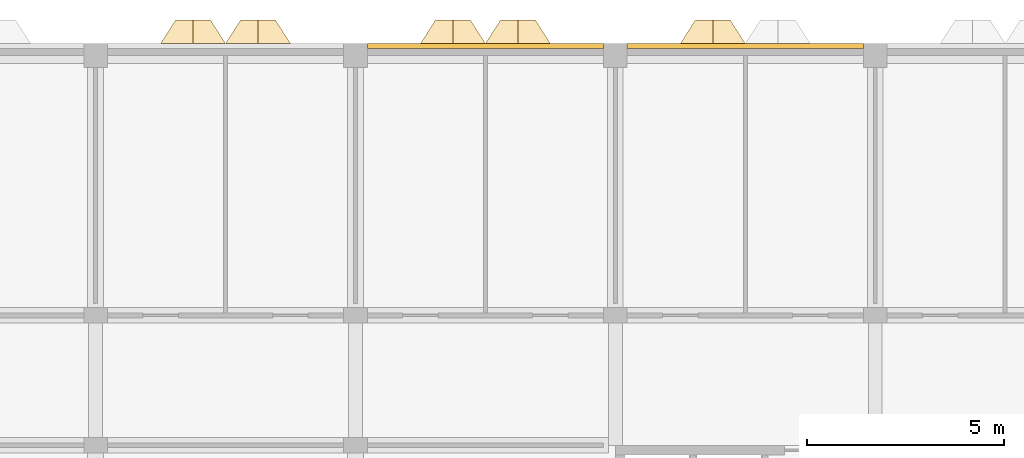
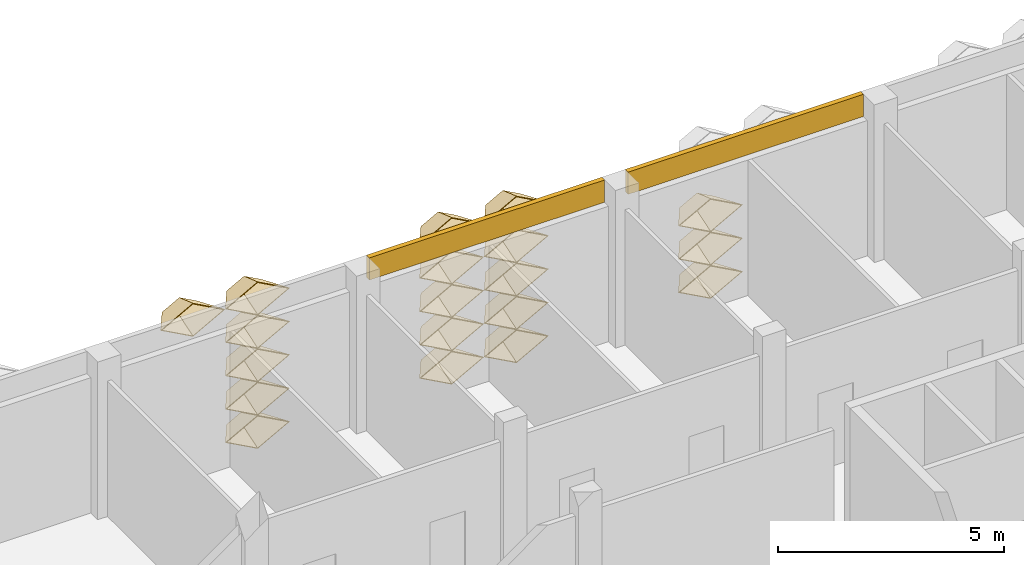
# One storey, part 78 of 85: 21 coverings.
"""IFC4 building model written with IfcOpenShell, lengths in metres."""

import ifcopenshell
import ifcopenshell.guid

model = None  # the IFC model being written
_history = None  # IfcOwnerHistory: only IFC2X3 demands one
_inside = {}  # id of a spatial element -> (the spatial element, [elements in it])
_under = {}  # id of a project, library or spatial element -> (it, [spatial elements below it])
_declared = {}  # id of a project -> (the project, [libraries it declares])
_typed = {}  # id of a type object -> (the type object, [elements of that type])
_made_of = {}  # id of a material, layer set ... -> (it, [elements and type objects made of it])


def new_model(schema):
    """Start an empty IFC model of exactly this schema.

    Asked for "IFC4X3", IfcOpenShell would pick the latest addendum, in which some entities
    have other attributes; the version numbers below select the first issue.
    IFC2X3 requires an IfcOwnerHistory on every rooted entity: one is made here for all.
    """
    global model, _history
    if schema == "IFC4X3":
        model = ifcopenshell.file(schema_version=(4, 3, 0, 0))
    else:
        model = ifcopenshell.file(schema=schema)
    _inside.clear()
    _under.clear()
    _declared.clear()
    _typed.clear()
    _made_of.clear()
    _history = None
    if model.schema == "IFC2X3":
        org = make("IfcOrganization", Name="unknown")
        user = make(
            "IfcPersonAndOrganization",
            ThePerson=make("IfcPerson", FamilyName="unknown"),
            TheOrganization=org,
        )
        app = make(
            "IfcApplication",
            ApplicationDeveloper=org,
            Version="unknown",
            ApplicationFullName="unknown",
            ApplicationIdentifier="unknown",
        )
        _history = make(
            "IfcOwnerHistory",
            OwningUser=user,
            OwningApplication=app,
            ChangeAction="ADDED",
            CreationDate=0,
        )
    return model


def make(cls, **values):
    """One entity of the class cls with the attributes given. An attribute that is None is left unset."""
    return model.create_entity(
        cls, **{name: value for name, value in values.items() if value is not None}
    )


def entity(cls, *values):
    """Any entity or typed value of the class cls, its attributes in the order of the schema. None: left unset."""
    e = model.create_entity(cls)
    for i, value in enumerate(values):
        if value is not None:
            e[i] = value
    return e


def rooted(cls, **values):
    """An entity with a GlobalId (a new one), such as an element, a storey or a relation."""
    return make(cls, GlobalId=ifcopenshell.guid.new(), OwnerHistory=_history, **values)


def si_unit(unit_type, name, prefix=None):
    """IfcSIUnit, for example si_unit("LENGTHUNIT", "METRE", prefix="MILLI")."""
    return make("IfcSIUnit", UnitType=unit_type, Prefix=prefix, Name=name)


def assignment(units):
    """IfcUnitAssignment: the units of a project."""
    return None if units is None else make("IfcUnitAssignment", Units=units)


def point(xyz):
    """IfcCartesianPoint."""
    return None if xyz is None else make("IfcCartesianPoint", Coordinates=xyz)


def direction(xyz):
    """IfcDirection."""
    return None if xyz is None else make("IfcDirection", DirectionRatios=xyz)


def frame(location, z_axis=None, x_axis=None):
    """IfcAxis2Placement3D, a coordinate frame: its origin and axes. An axis left out is left unset."""
    return make(
        "IfcAxis2Placement3D",
        Location=point(location),
        Axis=direction(z_axis),
        RefDirection=direction(x_axis),
    )


def frame_2d(location, x_axis=None):
    """IfcAxis2Placement2D, a coordinate frame in the plane: its origin and x axis."""
    return make(
        "IfcAxis2Placement2D", Location=point(location), RefDirection=direction(x_axis)
    )


def origin():
    """The frame at (0, 0, 0) with its axes left unset."""
    return frame((0.0, 0.0, 0.0))


def place(relative_to, where):
    """IfcLocalPlacement: puts the frame where relative to a parent placement (None: the world)."""
    return make(
        "IfcLocalPlacement", PlacementRelTo=relative_to, RelativePlacement=where
    )


def context(
    kind, dimensions, precision=None, world=None, true_north=None, identifier=None
):
    """IfcGeometricRepresentationContext, for example the 3D "Model" context."""
    return make(
        "IfcGeometricRepresentationContext",
        ContextIdentifier=identifier,
        ContextType=kind,
        CoordinateSpaceDimension=dimensions,
        Precision=precision,
        WorldCoordinateSystem=world,
        TrueNorth=true_north,
    )


def subcontext(parent, identifier, kind, view, scale=None):
    """IfcGeometricRepresentationSubContext, for example "Body" below "Model"."""
    return make(
        "IfcGeometricRepresentationSubContext",
        ContextIdentifier=identifier,
        ContextType=kind,
        ParentContext=parent,
        TargetScale=scale,
        TargetView=view,
    )


def project(units=None, contexts=None):
    """IfcProject with its units and contexts."""
    return rooted(
        "IfcProject",
        Name="project",
        RepresentationContexts=contexts,
        UnitsInContext=assignment(units),
    )


def spatial(cls, under=None, at=None, **own):
    """A site, building, storey or space (cls), placed at a placement, below another one or the project."""
    s = rooted(cls, ObjectPlacement=at, **own)
    if under is not None:
        _under.setdefault(under.id(), (under, []))[1].append(s)
    return s


def profile(cls, at=None, kind="AREA", **sizes):
    """A parametric profile (cls). Its sizes go by their IFC names, for example OverallWidth=200.0."""
    return make(cls, ProfileType=kind, Position=at, **sizes)


def rectangle(**sizes):
    """IfcRectangleProfileDef."""
    return profile("IfcRectangleProfileDef", **sizes)


def extrude(swept, where, along, depth):
    """IfcExtrudedAreaSolid: the profile swept, set in the frame where, extruded along a direction by depth."""
    return make(
        "IfcExtrudedAreaSolid",
        SweptArea=swept,
        Position=where,
        ExtrudedDirection=direction(along),
        Depth=depth,
    )


def shape(context_of_items, identifier, shape_type, items):
    """IfcShapeRepresentation: the items that make up one representation, for example the "Body"."""
    return make(
        "IfcShapeRepresentation",
        ContextOfItems=context_of_items,
        RepresentationIdentifier=identifier,
        RepresentationType=shape_type,
        Items=items,
    )


def material(Name=None, Category=None):
    """IfcMaterial."""
    return make("IfcMaterial", Name=Name, Category=Category)


def layer(
    of_material, thickness, ventilated=None, Name=None, Category=None, Priority=None
):
    """IfcMaterialLayer: one layer of a wall or slab, of a material (None: an air gap)."""
    return make(
        "IfcMaterialLayer",
        Material=of_material,
        LayerThickness=thickness,
        IsVentilated=ventilated,
        Name=Name,
        Category=Category,
        Priority=Priority,
    )


def layer_set(layers, Name=None):
    """IfcMaterialLayerSet."""
    return make("IfcMaterialLayerSet", MaterialLayers=layers, LayerSetName=Name)


def made_of(thing, what):
    """Note that an element or type object is made of a material, layer set ...; save() writes the relation."""
    if what is not None:
        _made_of.setdefault(what.id(), (what, []))[1].append(thing)
    return thing


def type_object(cls, material=None, **own):
    """A type object (cls), such as IfcWallType, which elements share."""
    return made_of(rooted(cls, **own), material)


def element(
    cls,
    number,
    at=None,
    inside=None,
    cuts=None,
    type_object=None,
    material=None,
    context=None,
    identifier="Body",
    shape_type=None,
    held_by="IfcProductDefinitionShape",
    body=None,
    shapes=None,
    **own,
):
    """One element of the class cls, such as IfcWall. Its Tag is "e" and its number.

    at: its placement. inside: the storey or other place that contains it. cuts: it is an
    opening in that element (IfcRelVoidsElement). A single representation is given by context,
    identifier, shape_type and body (its items); several are given by shapes. held_by: the class
    of the entity that holds the representations. save() writes the other relations.
    """
    e = rooted(cls, Tag="e%d" % number, ObjectPlacement=at, **own)
    if body is not None:
        shapes = [shape(context, identifier, shape_type, body)]
    if shapes is not None:
        e.Representation = make(held_by, Representations=shapes)
    if inside is not None:
        _inside.setdefault(inside.id(), (inside, []))[1].append(e)
    if cuts is not None:
        rooted(
            "IfcRelVoidsElement", RelatingBuildingElement=cuts, RelatedOpeningElement=e
        )
    if type_object is not None:
        _typed.setdefault(type_object.id(), (type_object, []))[1].append(e)
    return made_of(e, material)


def aggregate(whole, parts):
    """IfcRelAggregates: a whole, such as a stair, and the parts it consists of."""
    return rooted("IfcRelAggregates", RelatingObject=whole, RelatedObjects=parts)


def save(model, path):
    """Write the relations noted so far, then the file.

    IfcRelAggregates (storeys below a building ...), IfcRelContainedInSpatialStructure (elements
    in a storey), IfcRelDefinesByType, IfcRelAssociatesMaterial and IfcRelDeclares: one each for
    every whole, place, type object, material and project.
    """
    for whole, parts in _under.values():
        aggregate(whole, parts)
    for where, things in _inside.values():
        rooted(
            "IfcRelContainedInSpatialStructure",
            RelatedElements=things,
            RelatingStructure=where,
        )
    for kind, things in _typed.values():
        rooted("IfcRelDefinesByType", RelatedObjects=things, RelatingType=kind)
    for what, things in _made_of.values():
        rooted("IfcRelAssociatesMaterial", RelatedObjects=things, RelatingMaterial=what)
    for by, libraries in _declared.values():
        rooted("IfcRelDeclares", RelatingContext=by, RelatedDefinitions=libraries)
    model.write(path)


model = new_model("IFC4")

# Units and contexts
model_context = context("Model", 3, precision=1e-05, world=origin(), true_north=direction((0.0, 1.0)))
body_context = subcontext(model_context, "Body", "Model", "MODEL_VIEW")
ifc_project = project(units=[si_unit("LENGTHUNIT", "METRE"), si_unit("AREAUNIT", "SQUARE_METRE"), si_unit("VOLUMEUNIT", "CUBIC_METRE"), si_unit("PLANEANGLEUNIT", "RADIAN"), si_unit("MASSUNIT", "GRAM", prefix="KILO")], contexts=[model_context])

# Site, building, storey
site_placement = place(None, origin())
site = spatial("IfcSite", under=ifc_project, at=site_placement, CompositionType="ELEMENT")
building_placement = place(site_placement, origin())
building = spatial("IfcBuilding", under=site, at=building_placement, Name="Lantern Court Research Institute", CompositionType="ELEMENT")
storey_placement = place(building_placement, frame((0.0, 0.0, 18.89990234375)))
storey = spatial("IfcBuildingStorey", under=building, at=storey_placement, Name="L04", CompositionType="ELEMENT", Elevation=18.89990234375)

# Coverings
ifc_material_1 = material(Name="Aluminium composite panel with mineral wool insulation", Category="aluminium")
ifc_layer_1 = layer(ifc_material_1, 0.125)
ifc_layer_set_1 = layer_set([ifc_layer_1], Name="Aluminium composite panel with mineral wool insulation")
covering_type_1 = type_object("IfcCoveringType", Name="Edge fascia panel 125 aluminium faced", PredefinedType="CLADDING", material=ifc_layer_set_1)
for number, where, z_axis, x_axis, name in (
    (1, (33.300048828125, 99.237548828125, 3.650146484375), (0.0, 0.0, 1.0), (1.0, 0.0, 0.0), "Edge fascia V6N L04 05"),
    (2, (39.89990234375, 99.237548828125, 3.650146484375), (0.0, 0.0, 1.0), (1.0, 0.0, 0.0), "Edge fascia V6N L04 06"),
):
    element("IfcCovering", number, at=place(storey_placement, frame(where, z_axis=z_axis, x_axis=x_axis)), inside=storey, type_object=covering_type_1, Name=name, PredefinedType="CLADDING", context=body_context, shape_type="SweptSolid", body=[
        extrude(rectangle(XDim=6.0, YDim=0.125, at=frame_2d((3.0, 0.0))), origin(), (0.0, 0.0, 1.0), 0.599853515625),
    ])
ifc_material_2 = material(Name="Anodised aluminium", Category="aluminium")
ifc_layer_2 = layer(ifc_material_2, 0.01611328125)
ifc_layer_set_2 = layer_set([ifc_layer_2], Name="Anodised aluminium")
covering_type_2 = type_object("IfcCoveringType", Name="Fin cassette 1650 x 900 x 600 aluminium", PredefinedType="CLADDING", material=ifc_layer_set_2)
covering_1_placement = place(storey_placement, frame((30.52490234375, 99.300048828125, 0.4501953125), z_axis=(0.0, 1.0, 0.0), x_axis=(-1.0, 0.0, 0.0)))
cartesian_point_1 = entity("IfcCartesianPoint", [0.824951171875, 0.0])
cartesian_point_2 = entity("IfcCartesianPoint", [0.79150390625, 0.0])
cartesian_point_3 = entity("IfcCartesianPoint", [0.44189453125, 0.0])
cartesian_point_4 = entity("IfcCartesianPoint", [0.43359375, 0.0])
element("IfcCovering", 3, at=covering_1_placement, inside=storey, type_object=covering_type_2, Name="Fin cassette V6N-L04 1.19", PredefinedType="CLADDING", context=body_context, shape_type="SweptSolid", body=[
    entity("IfcExtrudedAreaSolidTapered", entity("IfcArbitraryProfileDefWithVoids", "AREA", None, entity("IfcPolyline", [cartesian_point_1, entity("IfcCartesianPoint", [0.0, 0.449951171875]), entity("IfcCartesianPoint", [-0.824951171875, 0.0]), entity("IfcCartesianPoint", [0.0, -0.449951171875]), cartesian_point_1]), [entity("IfcPolyline", [cartesian_point_2, entity("IfcCartesianPoint", [0.0, 0.431884765625]), entity("IfcCartesianPoint", [-0.79150390625, 0.0]), entity("IfcCartesianPoint", [0.0, -0.431884765625]), cartesian_point_2])]), entity("IfcAxis2Placement3D", entity("IfcCartesianPoint", [0.0, 0.0, 0.0])), entity("IfcDirection", [0.0, 0.0, 1.0]), 0.60009765625, entity("IfcArbitraryProfileDefWithVoids", "AREA", None, entity("IfcPolyline", [cartesian_point_3, entity("IfcCartesianPoint", [0.0, 0.240966796875]), entity("IfcCartesianPoint", [-0.44189453125, 0.0]), entity("IfcCartesianPoint", [0.0, -0.240966796875]), cartesian_point_3]), [entity("IfcPolyline", [cartesian_point_4, entity("IfcCartesianPoint", [0.0, 0.236572265625]), entity("IfcCartesianPoint", [-0.43359375, 0.0]), entity("IfcCartesianPoint", [0.0, -0.236572265625]), cartesian_point_4])])),
])
covering_2_placement = place(storey_placement, frame((35.47509765625, 99.300048828125, 0.4501953125), z_axis=(0.0, 1.0, 0.0), x_axis=(-1.0, 0.0, 0.0)))
cartesian_point_5 = entity("IfcCartesianPoint", [0.824951171875, 0.0])
cartesian_point_6 = entity("IfcCartesianPoint", [0.79150390625, 0.0])
cartesian_point_7 = entity("IfcCartesianPoint", [0.44189453125, 0.0])
cartesian_point_8 = entity("IfcCartesianPoint", [0.43359375, 0.0])
element("IfcCovering", 4, at=covering_2_placement, inside=storey, type_object=covering_type_2, Name="Fin cassette V6N-L04 1.22", PredefinedType="CLADDING", context=body_context, shape_type="SweptSolid", body=[
    entity("IfcExtrudedAreaSolidTapered", entity("IfcArbitraryProfileDefWithVoids", "AREA", None, entity("IfcPolyline", [cartesian_point_5, entity("IfcCartesianPoint", [0.0, 0.449951171875]), entity("IfcCartesianPoint", [-0.824951171875, 0.0]), entity("IfcCartesianPoint", [0.0, -0.449951171875]), cartesian_point_5]), [entity("IfcPolyline", [cartesian_point_6, entity("IfcCartesianPoint", [0.0, 0.431884765625]), entity("IfcCartesianPoint", [-0.79150390625, 0.0]), entity("IfcCartesianPoint", [0.0, -0.431884765625]), cartesian_point_6])]), entity("IfcAxis2Placement3D", entity("IfcCartesianPoint", [0.0, 0.0, 0.0])), entity("IfcDirection", [0.0, 0.0, 1.0]), 0.60009765625, entity("IfcArbitraryProfileDefWithVoids", "AREA", None, entity("IfcPolyline", [cartesian_point_7, entity("IfcCartesianPoint", [0.0, 0.240966796875]), entity("IfcCartesianPoint", [-0.44189453125, 0.0]), entity("IfcCartesianPoint", [0.0, -0.240966796875]), cartesian_point_7]), [entity("IfcPolyline", [cartesian_point_8, entity("IfcCartesianPoint", [0.0, 0.236572265625]), entity("IfcCartesianPoint", [-0.43359375, 0.0]), entity("IfcCartesianPoint", [0.0, -0.236572265625]), cartesian_point_8])])),
])
covering_3_placement = place(storey_placement, frame((37.125, 99.300048828125, 0.4501953125), z_axis=(0.0, 1.0, 0.0), x_axis=(-1.0, 0.0, 0.0)))
cartesian_point_9 = entity("IfcCartesianPoint", [0.824951171875, 0.0])
cartesian_point_10 = entity("IfcCartesianPoint", [0.79150390625, 0.0])
cartesian_point_11 = entity("IfcCartesianPoint", [0.44189453125, 0.0])
cartesian_point_12 = entity("IfcCartesianPoint", [0.43359375, 0.0])
element("IfcCovering", 5, at=covering_3_placement, inside=storey, type_object=covering_type_2, Name="Fin cassette V6N-L04 1.23", PredefinedType="CLADDING", context=body_context, shape_type="SweptSolid", body=[
    entity("IfcExtrudedAreaSolidTapered", entity("IfcArbitraryProfileDefWithVoids", "AREA", None, entity("IfcPolyline", [cartesian_point_9, entity("IfcCartesianPoint", [0.0, 0.449951171875]), entity("IfcCartesianPoint", [-0.824951171875, 0.0]), entity("IfcCartesianPoint", [0.0, -0.449951171875]), cartesian_point_9]), [entity("IfcPolyline", [cartesian_point_10, entity("IfcCartesianPoint", [0.0, 0.431884765625]), entity("IfcCartesianPoint", [-0.79150390625, 0.0]), entity("IfcCartesianPoint", [0.0, -0.431884765625]), cartesian_point_10])]), entity("IfcAxis2Placement3D", entity("IfcCartesianPoint", [0.0, 0.0, 0.0])), entity("IfcDirection", [0.0, 0.0, 1.0]), 0.60009765625, entity("IfcArbitraryProfileDefWithVoids", "AREA", None, entity("IfcPolyline", [cartesian_point_11, entity("IfcCartesianPoint", [0.0, 0.240966796875]), entity("IfcCartesianPoint", [-0.44189453125, 0.0]), entity("IfcCartesianPoint", [0.0, -0.240966796875]), cartesian_point_11]), [entity("IfcPolyline", [cartesian_point_12, entity("IfcCartesianPoint", [0.0, 0.236572265625]), entity("IfcCartesianPoint", [-0.43359375, 0.0]), entity("IfcCartesianPoint", [0.0, -0.236572265625]), cartesian_point_12])])),
])
covering_4_placement = place(storey_placement, frame((42.074951171875, 99.300048828125, 0.4501953125), z_axis=(0.0, 1.0, 0.0), x_axis=(-1.0, 0.0, 0.0)))
cartesian_point_13 = entity("IfcCartesianPoint", [0.824951171875, 0.0])
cartesian_point_14 = entity("IfcCartesianPoint", [0.79150390625, 0.0])
cartesian_point_15 = entity("IfcCartesianPoint", [0.44189453125, 0.0])
cartesian_point_16 = entity("IfcCartesianPoint", [0.43359375, 0.0])
element("IfcCovering", 6, at=covering_4_placement, inside=storey, type_object=covering_type_2, Name="Fin cassette V6N-L04 1.26", PredefinedType="CLADDING", context=body_context, shape_type="SweptSolid", body=[
    entity("IfcExtrudedAreaSolidTapered", entity("IfcArbitraryProfileDefWithVoids", "AREA", None, entity("IfcPolyline", [cartesian_point_13, entity("IfcCartesianPoint", [0.0, 0.449951171875]), entity("IfcCartesianPoint", [-0.824951171875, 0.0]), entity("IfcCartesianPoint", [0.0, -0.449951171875]), cartesian_point_13]), [entity("IfcPolyline", [cartesian_point_14, entity("IfcCartesianPoint", [0.0, 0.431884765625]), entity("IfcCartesianPoint", [-0.79150390625, 0.0]), entity("IfcCartesianPoint", [0.0, -0.431884765625]), cartesian_point_14])]), entity("IfcAxis2Placement3D", entity("IfcCartesianPoint", [0.0, 0.0, 0.0])), entity("IfcDirection", [0.0, 0.0, 1.0]), 0.60009765625, entity("IfcArbitraryProfileDefWithVoids", "AREA", None, entity("IfcPolyline", [cartesian_point_15, entity("IfcCartesianPoint", [0.0, 0.240966796875]), entity("IfcCartesianPoint", [-0.44189453125, 0.0]), entity("IfcCartesianPoint", [0.0, -0.240966796875]), cartesian_point_15]), [entity("IfcPolyline", [cartesian_point_16, entity("IfcCartesianPoint", [0.0, 0.236572265625]), entity("IfcCartesianPoint", [-0.43359375, 0.0]), entity("IfcCartesianPoint", [0.0, -0.236572265625]), cartesian_point_16])])),
])
covering_5_placement = place(storey_placement, frame((30.52490234375, 99.300048828125, 1.35009765625), z_axis=(0.0, 1.0, 0.0), x_axis=(-1.0, 0.0, 0.0)))
cartesian_point_17 = entity("IfcCartesianPoint", [0.824951171875, 0.0])
cartesian_point_18 = entity("IfcCartesianPoint", [0.79150390625, 0.0])
cartesian_point_19 = entity("IfcCartesianPoint", [0.44189453125, 0.0])
cartesian_point_20 = entity("IfcCartesianPoint", [0.43359375, 0.0])
element("IfcCovering", 7, at=covering_5_placement, inside=storey, type_object=covering_type_2, Name="Fin cassette V6N-L04 2.19", PredefinedType="CLADDING", context=body_context, shape_type="SweptSolid", body=[
    entity("IfcExtrudedAreaSolidTapered", entity("IfcArbitraryProfileDefWithVoids", "AREA", None, entity("IfcPolyline", [cartesian_point_17, entity("IfcCartesianPoint", [0.0, 0.449951171875]), entity("IfcCartesianPoint", [-0.824951171875, 0.0]), entity("IfcCartesianPoint", [0.0, -0.449951171875]), cartesian_point_17]), [entity("IfcPolyline", [cartesian_point_18, entity("IfcCartesianPoint", [0.0, 0.431884765625]), entity("IfcCartesianPoint", [-0.79150390625, 0.0]), entity("IfcCartesianPoint", [0.0, -0.431884765625]), cartesian_point_18])]), entity("IfcAxis2Placement3D", entity("IfcCartesianPoint", [0.0, 0.0, 0.0])), entity("IfcDirection", [0.0, 0.0, 1.0]), 0.60009765625, entity("IfcArbitraryProfileDefWithVoids", "AREA", None, entity("IfcPolyline", [cartesian_point_19, entity("IfcCartesianPoint", [0.0, 0.240966796875]), entity("IfcCartesianPoint", [-0.44189453125, 0.0]), entity("IfcCartesianPoint", [0.0, -0.240966796875]), cartesian_point_19]), [entity("IfcPolyline", [cartesian_point_20, entity("IfcCartesianPoint", [0.0, 0.236572265625]), entity("IfcCartesianPoint", [-0.43359375, 0.0]), entity("IfcCartesianPoint", [0.0, -0.236572265625]), cartesian_point_20])])),
])
covering_6_placement = place(storey_placement, frame((35.47509765625, 99.300048828125, 1.35009765625), z_axis=(0.0, 1.0, 0.0), x_axis=(-1.0, 0.0, 0.0)))
cartesian_point_21 = entity("IfcCartesianPoint", [0.824951171875, 0.0])
cartesian_point_22 = entity("IfcCartesianPoint", [0.79150390625, 0.0])
cartesian_point_23 = entity("IfcCartesianPoint", [0.44189453125, 0.0])
cartesian_point_24 = entity("IfcCartesianPoint", [0.43359375, 0.0])
element("IfcCovering", 8, at=covering_6_placement, inside=storey, type_object=covering_type_2, Name="Fin cassette V6N-L04 2.22", PredefinedType="CLADDING", context=body_context, shape_type="SweptSolid", body=[
    entity("IfcExtrudedAreaSolidTapered", entity("IfcArbitraryProfileDefWithVoids", "AREA", None, entity("IfcPolyline", [cartesian_point_21, entity("IfcCartesianPoint", [0.0, 0.449951171875]), entity("IfcCartesianPoint", [-0.824951171875, 0.0]), entity("IfcCartesianPoint", [0.0, -0.449951171875]), cartesian_point_21]), [entity("IfcPolyline", [cartesian_point_22, entity("IfcCartesianPoint", [0.0, 0.431884765625]), entity("IfcCartesianPoint", [-0.79150390625, 0.0]), entity("IfcCartesianPoint", [0.0, -0.431884765625]), cartesian_point_22])]), entity("IfcAxis2Placement3D", entity("IfcCartesianPoint", [0.0, 0.0, 0.0])), entity("IfcDirection", [0.0, 0.0, 1.0]), 0.60009765625, entity("IfcArbitraryProfileDefWithVoids", "AREA", None, entity("IfcPolyline", [cartesian_point_23, entity("IfcCartesianPoint", [0.0, 0.240966796875]), entity("IfcCartesianPoint", [-0.44189453125, 0.0]), entity("IfcCartesianPoint", [0.0, -0.240966796875]), cartesian_point_23]), [entity("IfcPolyline", [cartesian_point_24, entity("IfcCartesianPoint", [0.0, 0.236572265625]), entity("IfcCartesianPoint", [-0.43359375, 0.0]), entity("IfcCartesianPoint", [0.0, -0.236572265625]), cartesian_point_24])])),
])
covering_7_placement = place(storey_placement, frame((37.125, 99.300048828125, 1.35009765625), z_axis=(0.0, 1.0, 0.0), x_axis=(-1.0, 0.0, 0.0)))
cartesian_point_25 = entity("IfcCartesianPoint", [0.824951171875, 0.0])
cartesian_point_26 = entity("IfcCartesianPoint", [0.79150390625, 0.0])
cartesian_point_27 = entity("IfcCartesianPoint", [0.44189453125, 0.0])
cartesian_point_28 = entity("IfcCartesianPoint", [0.43359375, 0.0])
element("IfcCovering", 9, at=covering_7_placement, inside=storey, type_object=covering_type_2, Name="Fin cassette V6N-L04 2.23", PredefinedType="CLADDING", context=body_context, shape_type="SweptSolid", body=[
    entity("IfcExtrudedAreaSolidTapered", entity("IfcArbitraryProfileDefWithVoids", "AREA", None, entity("IfcPolyline", [cartesian_point_25, entity("IfcCartesianPoint", [0.0, 0.449951171875]), entity("IfcCartesianPoint", [-0.824951171875, 0.0]), entity("IfcCartesianPoint", [0.0, -0.449951171875]), cartesian_point_25]), [entity("IfcPolyline", [cartesian_point_26, entity("IfcCartesianPoint", [0.0, 0.431884765625]), entity("IfcCartesianPoint", [-0.79150390625, 0.0]), entity("IfcCartesianPoint", [0.0, -0.431884765625]), cartesian_point_26])]), entity("IfcAxis2Placement3D", entity("IfcCartesianPoint", [0.0, 0.0, 0.0])), entity("IfcDirection", [0.0, 0.0, 1.0]), 0.60009765625, entity("IfcArbitraryProfileDefWithVoids", "AREA", None, entity("IfcPolyline", [cartesian_point_27, entity("IfcCartesianPoint", [0.0, 0.240966796875]), entity("IfcCartesianPoint", [-0.44189453125, 0.0]), entity("IfcCartesianPoint", [0.0, -0.240966796875]), cartesian_point_27]), [entity("IfcPolyline", [cartesian_point_28, entity("IfcCartesianPoint", [0.0, 0.236572265625]), entity("IfcCartesianPoint", [-0.43359375, 0.0]), entity("IfcCartesianPoint", [0.0, -0.236572265625]), cartesian_point_28])])),
])
covering_8_placement = place(storey_placement, frame((42.074951171875, 99.300048828125, 1.35009765625), z_axis=(0.0, 1.0, 0.0), x_axis=(-1.0, 0.0, 0.0)))
cartesian_point_29 = entity("IfcCartesianPoint", [0.824951171875, 0.0])
cartesian_point_30 = entity("IfcCartesianPoint", [0.79150390625, 0.0])
cartesian_point_31 = entity("IfcCartesianPoint", [0.44189453125, 0.0])
cartesian_point_32 = entity("IfcCartesianPoint", [0.43359375, 0.0])
element("IfcCovering", 10, at=covering_8_placement, inside=storey, type_object=covering_type_2, Name="Fin cassette V6N-L04 2.26", PredefinedType="CLADDING", context=body_context, shape_type="SweptSolid", body=[
    entity("IfcExtrudedAreaSolidTapered", entity("IfcArbitraryProfileDefWithVoids", "AREA", None, entity("IfcPolyline", [cartesian_point_29, entity("IfcCartesianPoint", [0.0, 0.449951171875]), entity("IfcCartesianPoint", [-0.824951171875, 0.0]), entity("IfcCartesianPoint", [0.0, -0.449951171875]), cartesian_point_29]), [entity("IfcPolyline", [cartesian_point_30, entity("IfcCartesianPoint", [0.0, 0.431884765625]), entity("IfcCartesianPoint", [-0.79150390625, 0.0]), entity("IfcCartesianPoint", [0.0, -0.431884765625]), cartesian_point_30])]), entity("IfcAxis2Placement3D", entity("IfcCartesianPoint", [0.0, 0.0, 0.0])), entity("IfcDirection", [0.0, 0.0, 1.0]), 0.60009765625, entity("IfcArbitraryProfileDefWithVoids", "AREA", None, entity("IfcPolyline", [cartesian_point_31, entity("IfcCartesianPoint", [0.0, 0.240966796875]), entity("IfcCartesianPoint", [-0.44189453125, 0.0]), entity("IfcCartesianPoint", [0.0, -0.240966796875]), cartesian_point_31]), [entity("IfcPolyline", [cartesian_point_32, entity("IfcCartesianPoint", [0.0, 0.236572265625]), entity("IfcCartesianPoint", [-0.43359375, 0.0]), entity("IfcCartesianPoint", [0.0, -0.236572265625]), cartesian_point_32])])),
])
covering_9_placement = place(storey_placement, frame((30.52490234375, 99.300048828125, 2.25), z_axis=(0.0, 1.0, 0.0), x_axis=(-1.0, 0.0, 0.0)))
cartesian_point_33 = entity("IfcCartesianPoint", [0.824951171875, 0.0])
cartesian_point_34 = entity("IfcCartesianPoint", [0.79150390625, 0.0])
cartesian_point_35 = entity("IfcCartesianPoint", [0.44189453125, 0.0])
cartesian_point_36 = entity("IfcCartesianPoint", [0.43359375, 0.0])
element("IfcCovering", 11, at=covering_9_placement, inside=storey, type_object=covering_type_2, Name="Fin cassette V6N-L04 3.19", PredefinedType="CLADDING", context=body_context, shape_type="SweptSolid", body=[
    entity("IfcExtrudedAreaSolidTapered", entity("IfcArbitraryProfileDefWithVoids", "AREA", None, entity("IfcPolyline", [cartesian_point_33, entity("IfcCartesianPoint", [0.0, 0.449951171875]), entity("IfcCartesianPoint", [-0.824951171875, 0.0]), entity("IfcCartesianPoint", [0.0, -0.449951171875]), cartesian_point_33]), [entity("IfcPolyline", [cartesian_point_34, entity("IfcCartesianPoint", [0.0, 0.431884765625]), entity("IfcCartesianPoint", [-0.79150390625, 0.0]), entity("IfcCartesianPoint", [0.0, -0.431884765625]), cartesian_point_34])]), entity("IfcAxis2Placement3D", entity("IfcCartesianPoint", [0.0, 0.0, 0.0])), entity("IfcDirection", [0.0, 0.0, 1.0]), 0.60009765625, entity("IfcArbitraryProfileDefWithVoids", "AREA", None, entity("IfcPolyline", [cartesian_point_35, entity("IfcCartesianPoint", [0.0, 0.240966796875]), entity("IfcCartesianPoint", [-0.44189453125, 0.0]), entity("IfcCartesianPoint", [0.0, -0.240966796875]), cartesian_point_35]), [entity("IfcPolyline", [cartesian_point_36, entity("IfcCartesianPoint", [0.0, 0.236572265625]), entity("IfcCartesianPoint", [-0.43359375, 0.0]), entity("IfcCartesianPoint", [0.0, -0.236572265625]), cartesian_point_36])])),
])
covering_10_placement = place(storey_placement, frame((35.47509765625, 99.300048828125, 2.25), z_axis=(0.0, 1.0, 0.0), x_axis=(-1.0, 0.0, 0.0)))
cartesian_point_37 = entity("IfcCartesianPoint", [0.824951171875, 0.0])
cartesian_point_38 = entity("IfcCartesianPoint", [0.79150390625, 0.0])
cartesian_point_39 = entity("IfcCartesianPoint", [0.44189453125, 0.0])
cartesian_point_40 = entity("IfcCartesianPoint", [0.43359375, 0.0])
element("IfcCovering", 12, at=covering_10_placement, inside=storey, type_object=covering_type_2, Name="Fin cassette V6N-L04 3.22", PredefinedType="CLADDING", context=body_context, shape_type="SweptSolid", body=[
    entity("IfcExtrudedAreaSolidTapered", entity("IfcArbitraryProfileDefWithVoids", "AREA", None, entity("IfcPolyline", [cartesian_point_37, entity("IfcCartesianPoint", [0.0, 0.449951171875]), entity("IfcCartesianPoint", [-0.824951171875, 0.0]), entity("IfcCartesianPoint", [0.0, -0.449951171875]), cartesian_point_37]), [entity("IfcPolyline", [cartesian_point_38, entity("IfcCartesianPoint", [0.0, 0.431884765625]), entity("IfcCartesianPoint", [-0.79150390625, 0.0]), entity("IfcCartesianPoint", [0.0, -0.431884765625]), cartesian_point_38])]), entity("IfcAxis2Placement3D", entity("IfcCartesianPoint", [0.0, 0.0, 0.0])), entity("IfcDirection", [0.0, 0.0, 1.0]), 0.60009765625, entity("IfcArbitraryProfileDefWithVoids", "AREA", None, entity("IfcPolyline", [cartesian_point_39, entity("IfcCartesianPoint", [0.0, 0.240966796875]), entity("IfcCartesianPoint", [-0.44189453125, 0.0]), entity("IfcCartesianPoint", [0.0, -0.240966796875]), cartesian_point_39]), [entity("IfcPolyline", [cartesian_point_40, entity("IfcCartesianPoint", [0.0, 0.236572265625]), entity("IfcCartesianPoint", [-0.43359375, 0.0]), entity("IfcCartesianPoint", [0.0, -0.236572265625]), cartesian_point_40])])),
])
covering_11_placement = place(storey_placement, frame((37.125, 99.300048828125, 2.25), z_axis=(0.0, 1.0, 0.0), x_axis=(-1.0, 0.0, 0.0)))
cartesian_point_41 = entity("IfcCartesianPoint", [0.824951171875, 0.0])
cartesian_point_42 = entity("IfcCartesianPoint", [0.79150390625, 0.0])
cartesian_point_43 = entity("IfcCartesianPoint", [0.44189453125, 0.0])
cartesian_point_44 = entity("IfcCartesianPoint", [0.43359375, 0.0])
element("IfcCovering", 13, at=covering_11_placement, inside=storey, type_object=covering_type_2, Name="Fin cassette V6N-L04 3.23", PredefinedType="CLADDING", context=body_context, shape_type="SweptSolid", body=[
    entity("IfcExtrudedAreaSolidTapered", entity("IfcArbitraryProfileDefWithVoids", "AREA", None, entity("IfcPolyline", [cartesian_point_41, entity("IfcCartesianPoint", [0.0, 0.449951171875]), entity("IfcCartesianPoint", [-0.824951171875, 0.0]), entity("IfcCartesianPoint", [0.0, -0.449951171875]), cartesian_point_41]), [entity("IfcPolyline", [cartesian_point_42, entity("IfcCartesianPoint", [0.0, 0.431884765625]), entity("IfcCartesianPoint", [-0.79150390625, 0.0]), entity("IfcCartesianPoint", [0.0, -0.431884765625]), cartesian_point_42])]), entity("IfcAxis2Placement3D", entity("IfcCartesianPoint", [0.0, 0.0, 0.0])), entity("IfcDirection", [0.0, 0.0, 1.0]), 0.60009765625, entity("IfcArbitraryProfileDefWithVoids", "AREA", None, entity("IfcPolyline", [cartesian_point_43, entity("IfcCartesianPoint", [0.0, 0.240966796875]), entity("IfcCartesianPoint", [-0.44189453125, 0.0]), entity("IfcCartesianPoint", [0.0, -0.240966796875]), cartesian_point_43]), [entity("IfcPolyline", [cartesian_point_44, entity("IfcCartesianPoint", [0.0, 0.236572265625]), entity("IfcCartesianPoint", [-0.43359375, 0.0]), entity("IfcCartesianPoint", [0.0, -0.236572265625]), cartesian_point_44])])),
])
covering_12_placement = place(storey_placement, frame((42.074951171875, 99.300048828125, 2.25), z_axis=(0.0, 1.0, 0.0), x_axis=(-1.0, 0.0, 0.0)))
cartesian_point_45 = entity("IfcCartesianPoint", [0.824951171875, 0.0])
cartesian_point_46 = entity("IfcCartesianPoint", [0.79150390625, 0.0])
cartesian_point_47 = entity("IfcCartesianPoint", [0.44189453125, 0.0])
cartesian_point_48 = entity("IfcCartesianPoint", [0.43359375, 0.0])
element("IfcCovering", 14, at=covering_12_placement, inside=storey, type_object=covering_type_2, Name="Fin cassette V6N-L04 3.26", PredefinedType="CLADDING", context=body_context, shape_type="SweptSolid", body=[
    entity("IfcExtrudedAreaSolidTapered", entity("IfcArbitraryProfileDefWithVoids", "AREA", None, entity("IfcPolyline", [cartesian_point_45, entity("IfcCartesianPoint", [0.0, 0.449951171875]), entity("IfcCartesianPoint", [-0.824951171875, 0.0]), entity("IfcCartesianPoint", [0.0, -0.449951171875]), cartesian_point_45]), [entity("IfcPolyline", [cartesian_point_46, entity("IfcCartesianPoint", [0.0, 0.431884765625]), entity("IfcCartesianPoint", [-0.79150390625, 0.0]), entity("IfcCartesianPoint", [0.0, -0.431884765625]), cartesian_point_46])]), entity("IfcAxis2Placement3D", entity("IfcCartesianPoint", [0.0, 0.0, 0.0])), entity("IfcDirection", [0.0, 0.0, 1.0]), 0.60009765625, entity("IfcArbitraryProfileDefWithVoids", "AREA", None, entity("IfcPolyline", [cartesian_point_47, entity("IfcCartesianPoint", [0.0, 0.240966796875]), entity("IfcCartesianPoint", [-0.44189453125, 0.0]), entity("IfcCartesianPoint", [0.0, -0.240966796875]), cartesian_point_47]), [entity("IfcPolyline", [cartesian_point_48, entity("IfcCartesianPoint", [0.0, 0.236572265625]), entity("IfcCartesianPoint", [-0.43359375, 0.0]), entity("IfcCartesianPoint", [0.0, -0.236572265625]), cartesian_point_48])])),
])
covering_13_placement = place(storey_placement, frame((30.52490234375, 99.300048828125, 3.150146484375), z_axis=(0.0, 1.0, 0.0), x_axis=(-1.0, 0.0, 0.0)))
cartesian_point_49 = entity("IfcCartesianPoint", [0.824951171875, 0.0])
cartesian_point_50 = entity("IfcCartesianPoint", [0.79150390625, 0.0])
cartesian_point_51 = entity("IfcCartesianPoint", [0.44189453125, 0.0])
cartesian_point_52 = entity("IfcCartesianPoint", [0.43359375, 0.0])
element("IfcCovering", 15, at=covering_13_placement, inside=storey, type_object=covering_type_2, Name="Fin cassette V6N-L04 4.19", PredefinedType="CLADDING", context=body_context, shape_type="SweptSolid", body=[
    entity("IfcExtrudedAreaSolidTapered", entity("IfcArbitraryProfileDefWithVoids", "AREA", None, entity("IfcPolyline", [cartesian_point_49, entity("IfcCartesianPoint", [0.0, 0.449951171875]), entity("IfcCartesianPoint", [-0.824951171875, 0.0]), entity("IfcCartesianPoint", [0.0, -0.449951171875]), cartesian_point_49]), [entity("IfcPolyline", [cartesian_point_50, entity("IfcCartesianPoint", [0.0, 0.431884765625]), entity("IfcCartesianPoint", [-0.79150390625, 0.0]), entity("IfcCartesianPoint", [0.0, -0.431884765625]), cartesian_point_50])]), entity("IfcAxis2Placement3D", entity("IfcCartesianPoint", [0.0, 0.0, 0.0])), entity("IfcDirection", [0.0, 0.0, 1.0]), 0.60009765625, entity("IfcArbitraryProfileDefWithVoids", "AREA", None, entity("IfcPolyline", [cartesian_point_51, entity("IfcCartesianPoint", [0.0, 0.240966796875]), entity("IfcCartesianPoint", [-0.44189453125, 0.0]), entity("IfcCartesianPoint", [0.0, -0.240966796875]), cartesian_point_51]), [entity("IfcPolyline", [cartesian_point_52, entity("IfcCartesianPoint", [0.0, 0.236572265625]), entity("IfcCartesianPoint", [-0.43359375, 0.0]), entity("IfcCartesianPoint", [0.0, -0.236572265625]), cartesian_point_52])])),
])
covering_14_placement = place(storey_placement, frame((35.47509765625, 99.300048828125, 3.150146484375), z_axis=(0.0, 1.0, 0.0), x_axis=(-1.0, 0.0, 0.0)))
cartesian_point_53 = entity("IfcCartesianPoint", [0.824951171875, 0.0])
cartesian_point_54 = entity("IfcCartesianPoint", [0.79150390625, 0.0])
cartesian_point_55 = entity("IfcCartesianPoint", [0.44189453125, 0.0])
cartesian_point_56 = entity("IfcCartesianPoint", [0.43359375, 0.0])
element("IfcCovering", 16, at=covering_14_placement, inside=storey, type_object=covering_type_2, Name="Fin cassette V6N-L04 4.22", PredefinedType="CLADDING", context=body_context, shape_type="SweptSolid", body=[
    entity("IfcExtrudedAreaSolidTapered", entity("IfcArbitraryProfileDefWithVoids", "AREA", None, entity("IfcPolyline", [cartesian_point_53, entity("IfcCartesianPoint", [0.0, 0.449951171875]), entity("IfcCartesianPoint", [-0.824951171875, 0.0]), entity("IfcCartesianPoint", [0.0, -0.449951171875]), cartesian_point_53]), [entity("IfcPolyline", [cartesian_point_54, entity("IfcCartesianPoint", [0.0, 0.431884765625]), entity("IfcCartesianPoint", [-0.79150390625, 0.0]), entity("IfcCartesianPoint", [0.0, -0.431884765625]), cartesian_point_54])]), entity("IfcAxis2Placement3D", entity("IfcCartesianPoint", [0.0, 0.0, 0.0])), entity("IfcDirection", [0.0, 0.0, 1.0]), 0.60009765625, entity("IfcArbitraryProfileDefWithVoids", "AREA", None, entity("IfcPolyline", [cartesian_point_55, entity("IfcCartesianPoint", [0.0, 0.240966796875]), entity("IfcCartesianPoint", [-0.44189453125, 0.0]), entity("IfcCartesianPoint", [0.0, -0.240966796875]), cartesian_point_55]), [entity("IfcPolyline", [cartesian_point_56, entity("IfcCartesianPoint", [0.0, 0.236572265625]), entity("IfcCartesianPoint", [-0.43359375, 0.0]), entity("IfcCartesianPoint", [0.0, -0.236572265625]), cartesian_point_56])])),
])
covering_15_placement = place(storey_placement, frame((37.125, 99.300048828125, 3.150146484375), z_axis=(0.0, 1.0, 0.0), x_axis=(-1.0, 0.0, 0.0)))
cartesian_point_57 = entity("IfcCartesianPoint", [0.824951171875, 0.0])
cartesian_point_58 = entity("IfcCartesianPoint", [0.79150390625, 0.0])
cartesian_point_59 = entity("IfcCartesianPoint", [0.44189453125, 0.0])
cartesian_point_60 = entity("IfcCartesianPoint", [0.43359375, 0.0])
element("IfcCovering", 17, at=covering_15_placement, inside=storey, type_object=covering_type_2, Name="Fin cassette V6N-L04 4.23", PredefinedType="CLADDING", context=body_context, shape_type="SweptSolid", body=[
    entity("IfcExtrudedAreaSolidTapered", entity("IfcArbitraryProfileDefWithVoids", "AREA", None, entity("IfcPolyline", [cartesian_point_57, entity("IfcCartesianPoint", [0.0, 0.449951171875]), entity("IfcCartesianPoint", [-0.824951171875, 0.0]), entity("IfcCartesianPoint", [0.0, -0.449951171875]), cartesian_point_57]), [entity("IfcPolyline", [cartesian_point_58, entity("IfcCartesianPoint", [0.0, 0.431884765625]), entity("IfcCartesianPoint", [-0.79150390625, 0.0]), entity("IfcCartesianPoint", [0.0, -0.431884765625]), cartesian_point_58])]), entity("IfcAxis2Placement3D", entity("IfcCartesianPoint", [0.0, 0.0, 0.0])), entity("IfcDirection", [0.0, 0.0, 1.0]), 0.60009765625, entity("IfcArbitraryProfileDefWithVoids", "AREA", None, entity("IfcPolyline", [cartesian_point_59, entity("IfcCartesianPoint", [0.0, 0.240966796875]), entity("IfcCartesianPoint", [-0.44189453125, 0.0]), entity("IfcCartesianPoint", [0.0, -0.240966796875]), cartesian_point_59]), [entity("IfcPolyline", [cartesian_point_60, entity("IfcCartesianPoint", [0.0, 0.236572265625]), entity("IfcCartesianPoint", [-0.43359375, 0.0]), entity("IfcCartesianPoint", [0.0, -0.236572265625]), cartesian_point_60])])),
])
covering_16_placement = place(storey_placement, frame((28.875, 99.300048828125, 4.050048828125), z_axis=(0.0, 1.0, 0.0), x_axis=(-1.0, 0.0, 0.0)))
cartesian_point_61 = entity("IfcCartesianPoint", [0.824951171875, 0.0])
cartesian_point_62 = entity("IfcCartesianPoint", [0.79150390625, 0.0])
cartesian_point_63 = entity("IfcCartesianPoint", [0.44189453125, 0.0])
cartesian_point_64 = entity("IfcCartesianPoint", [0.43359375, 0.0])
element("IfcCovering", 18, at=covering_16_placement, inside=storey, type_object=covering_type_2, Name="Fin cassette V6N-L04 5.18", PredefinedType="CLADDING", context=body_context, shape_type="SweptSolid", body=[
    entity("IfcExtrudedAreaSolidTapered", entity("IfcArbitraryProfileDefWithVoids", "AREA", None, entity("IfcPolyline", [cartesian_point_61, entity("IfcCartesianPoint", [0.0, 0.449951171875]), entity("IfcCartesianPoint", [-0.824951171875, 0.0]), entity("IfcCartesianPoint", [0.0, -0.449951171875]), cartesian_point_61]), [entity("IfcPolyline", [cartesian_point_62, entity("IfcCartesianPoint", [0.0, 0.431884765625]), entity("IfcCartesianPoint", [-0.79150390625, 0.0]), entity("IfcCartesianPoint", [0.0, -0.431884765625]), cartesian_point_62])]), entity("IfcAxis2Placement3D", entity("IfcCartesianPoint", [0.0, 0.0, 0.0])), entity("IfcDirection", [0.0, 0.0, 1.0]), 0.60009765625, entity("IfcArbitraryProfileDefWithVoids", "AREA", None, entity("IfcPolyline", [cartesian_point_63, entity("IfcCartesianPoint", [0.0, 0.240966796875]), entity("IfcCartesianPoint", [-0.44189453125, 0.0]), entity("IfcCartesianPoint", [0.0, -0.240966796875]), cartesian_point_63]), [entity("IfcPolyline", [cartesian_point_64, entity("IfcCartesianPoint", [0.0, 0.236572265625]), entity("IfcCartesianPoint", [-0.43359375, 0.0]), entity("IfcCartesianPoint", [0.0, -0.236572265625]), cartesian_point_64])])),
])
covering_17_placement = place(storey_placement, frame((30.52490234375, 99.300048828125, 4.050048828125), z_axis=(0.0, 1.0, 0.0), x_axis=(-1.0, 0.0, 0.0)))
cartesian_point_65 = entity("IfcCartesianPoint", [0.824951171875, 0.0])
cartesian_point_66 = entity("IfcCartesianPoint", [0.79150390625, 0.0])
cartesian_point_67 = entity("IfcCartesianPoint", [0.44189453125, 0.0])
cartesian_point_68 = entity("IfcCartesianPoint", [0.43359375, 0.0])
element("IfcCovering", 19, at=covering_17_placement, inside=storey, type_object=covering_type_2, Name="Fin cassette V6N-L04 5.19", PredefinedType="CLADDING", context=body_context, shape_type="SweptSolid", body=[
    entity("IfcExtrudedAreaSolidTapered", entity("IfcArbitraryProfileDefWithVoids", "AREA", None, entity("IfcPolyline", [cartesian_point_65, entity("IfcCartesianPoint", [0.0, 0.449951171875]), entity("IfcCartesianPoint", [-0.824951171875, 0.0]), entity("IfcCartesianPoint", [0.0, -0.449951171875]), cartesian_point_65]), [entity("IfcPolyline", [cartesian_point_66, entity("IfcCartesianPoint", [0.0, 0.431884765625]), entity("IfcCartesianPoint", [-0.79150390625, 0.0]), entity("IfcCartesianPoint", [0.0, -0.431884765625]), cartesian_point_66])]), entity("IfcAxis2Placement3D", entity("IfcCartesianPoint", [0.0, 0.0, 0.0])), entity("IfcDirection", [0.0, 0.0, 1.0]), 0.60009765625, entity("IfcArbitraryProfileDefWithVoids", "AREA", None, entity("IfcPolyline", [cartesian_point_67, entity("IfcCartesianPoint", [0.0, 0.240966796875]), entity("IfcCartesianPoint", [-0.44189453125, 0.0]), entity("IfcCartesianPoint", [0.0, -0.240966796875]), cartesian_point_67]), [entity("IfcPolyline", [cartesian_point_68, entity("IfcCartesianPoint", [0.0, 0.236572265625]), entity("IfcCartesianPoint", [-0.43359375, 0.0]), entity("IfcCartesianPoint", [0.0, -0.236572265625]), cartesian_point_68])])),
])
covering_18_placement = place(storey_placement, frame((35.47509765625, 99.300048828125, 4.050048828125), z_axis=(0.0, 1.0, 0.0), x_axis=(-1.0, 0.0, 0.0)))
cartesian_point_69 = entity("IfcCartesianPoint", [0.824951171875, 0.0])
cartesian_point_70 = entity("IfcCartesianPoint", [0.79150390625, 0.0])
cartesian_point_71 = entity("IfcCartesianPoint", [0.44189453125, 0.0])
cartesian_point_72 = entity("IfcCartesianPoint", [0.43359375, 0.0])
element("IfcCovering", 20, at=covering_18_placement, inside=storey, type_object=covering_type_2, Name="Fin cassette V6N-L04 5.22", PredefinedType="CLADDING", context=body_context, shape_type="SweptSolid", body=[
    entity("IfcExtrudedAreaSolidTapered", entity("IfcArbitraryProfileDefWithVoids", "AREA", None, entity("IfcPolyline", [cartesian_point_69, entity("IfcCartesianPoint", [0.0, 0.449951171875]), entity("IfcCartesianPoint", [-0.824951171875, 0.0]), entity("IfcCartesianPoint", [0.0, -0.449951171875]), cartesian_point_69]), [entity("IfcPolyline", [cartesian_point_70, entity("IfcCartesianPoint", [0.0, 0.431884765625]), entity("IfcCartesianPoint", [-0.79150390625, 0.0]), entity("IfcCartesianPoint", [0.0, -0.431884765625]), cartesian_point_70])]), entity("IfcAxis2Placement3D", entity("IfcCartesianPoint", [0.0, 0.0, 0.0])), entity("IfcDirection", [0.0, 0.0, 1.0]), 0.60009765625, entity("IfcArbitraryProfileDefWithVoids", "AREA", None, entity("IfcPolyline", [cartesian_point_71, entity("IfcCartesianPoint", [0.0, 0.240966796875]), entity("IfcCartesianPoint", [-0.44189453125, 0.0]), entity("IfcCartesianPoint", [0.0, -0.240966796875]), cartesian_point_71]), [entity("IfcPolyline", [cartesian_point_72, entity("IfcCartesianPoint", [0.0, 0.236572265625]), entity("IfcCartesianPoint", [-0.43359375, 0.0]), entity("IfcCartesianPoint", [0.0, -0.236572265625]), cartesian_point_72])])),
])
covering_19_placement = place(storey_placement, frame((37.125, 99.300048828125, 4.050048828125), z_axis=(0.0, 1.0, 0.0), x_axis=(-1.0, 0.0, 0.0)))
cartesian_point_73 = entity("IfcCartesianPoint", [0.824951171875, 0.0])
cartesian_point_74 = entity("IfcCartesianPoint", [0.79150390625, 0.0])
cartesian_point_75 = entity("IfcCartesianPoint", [0.44189453125, 0.0])
cartesian_point_76 = entity("IfcCartesianPoint", [0.43359375, 0.0])
element("IfcCovering", 21, at=covering_19_placement, inside=storey, type_object=covering_type_2, Name="Fin cassette V6N-L04 5.23", PredefinedType="CLADDING", context=body_context, shape_type="SweptSolid", body=[
    entity("IfcExtrudedAreaSolidTapered", entity("IfcArbitraryProfileDefWithVoids", "AREA", None, entity("IfcPolyline", [cartesian_point_73, entity("IfcCartesianPoint", [0.0, 0.449951171875]), entity("IfcCartesianPoint", [-0.824951171875, 0.0]), entity("IfcCartesianPoint", [0.0, -0.449951171875]), cartesian_point_73]), [entity("IfcPolyline", [cartesian_point_74, entity("IfcCartesianPoint", [0.0, 0.431884765625]), entity("IfcCartesianPoint", [-0.79150390625, 0.0]), entity("IfcCartesianPoint", [0.0, -0.431884765625]), cartesian_point_74])]), entity("IfcAxis2Placement3D", entity("IfcCartesianPoint", [0.0, 0.0, 0.0])), entity("IfcDirection", [0.0, 0.0, 1.0]), 0.60009765625, entity("IfcArbitraryProfileDefWithVoids", "AREA", None, entity("IfcPolyline", [cartesian_point_75, entity("IfcCartesianPoint", [0.0, 0.240966796875]), entity("IfcCartesianPoint", [-0.44189453125, 0.0]), entity("IfcCartesianPoint", [0.0, -0.240966796875]), cartesian_point_75]), [entity("IfcPolyline", [cartesian_point_76, entity("IfcCartesianPoint", [0.0, 0.236572265625]), entity("IfcCartesianPoint", [-0.43359375, 0.0]), entity("IfcCartesianPoint", [0.0, -0.236572265625]), cartesian_point_76])])),
])

save(model, "model.ifc")
